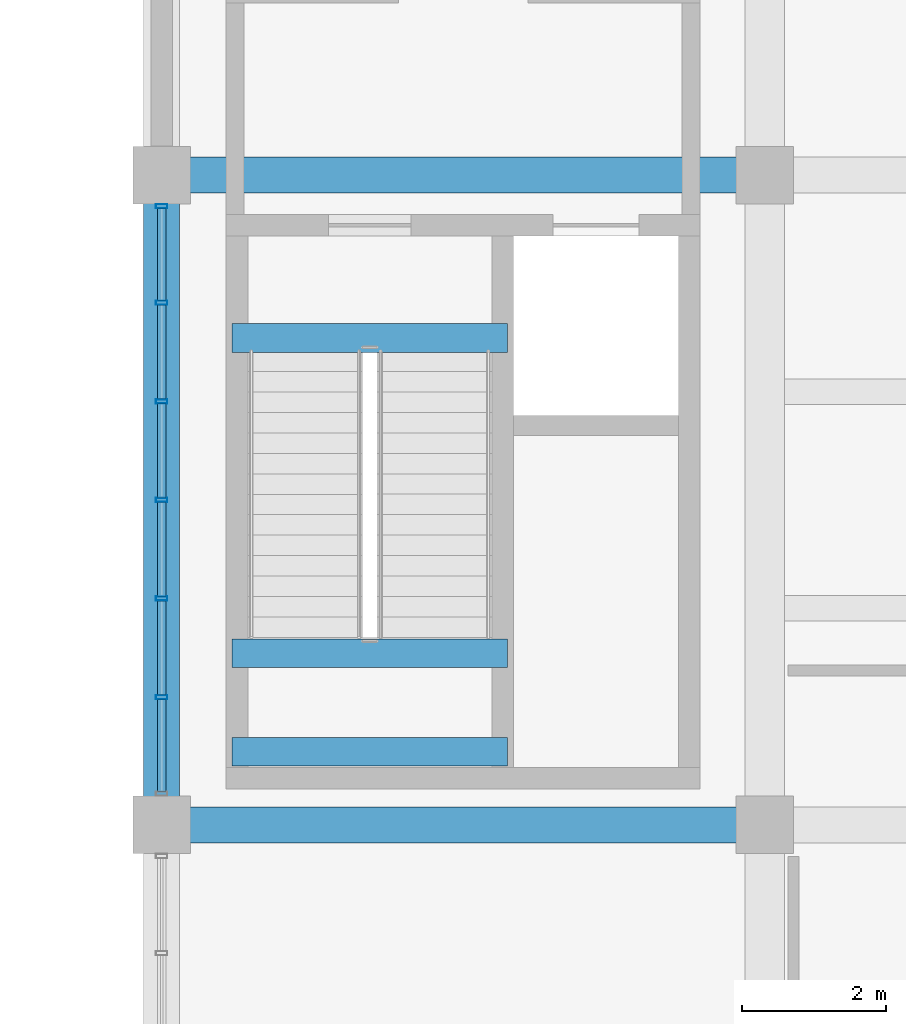
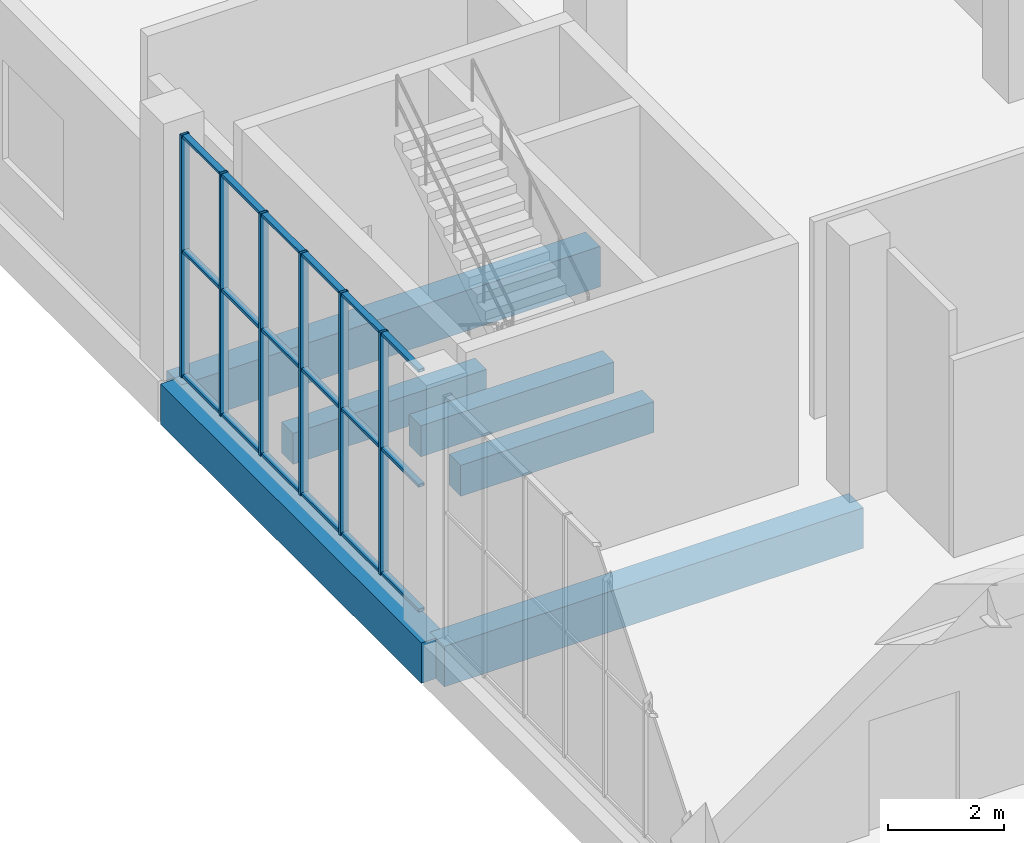
# One storey, part 4 of 91: 24 members, 6 beams, 1 element without a shape of its own.
"""IFC4 building model written with IfcOpenShell, lengths in metres."""

from ifc_helpers import new_model, si_unit, direction, frame, origin, origin_2d, place, context, subcontext, project, spatial, rectangle, hollow_rectangle, extrude, material, material_profile, profile_set, type_object, element, aggregate, save


model = new_model("IFC4")

# Units and contexts
model_context = context("Model", 3, precision=1e-05, world=origin(), true_north=direction((0.0, 1.0)))
body_context = subcontext(model_context, "Body", "Model", "MODEL_VIEW")
ifc_project = project(units=[si_unit("LENGTHUNIT", "METRE"), si_unit("AREAUNIT", "SQUARE_METRE"), si_unit("VOLUMEUNIT", "CUBIC_METRE"), si_unit("PLANEANGLEUNIT", "RADIAN"), si_unit("MASSUNIT", "GRAM", prefix="KILO")], contexts=[model_context])

# Site, building, storey
site_placement = place(None, origin())
site = spatial("IfcSite", under=ifc_project, at=site_placement, CompositionType="ELEMENT")
building_placement = place(site_placement, origin())
building = spatial("IfcBuilding", under=site, at=building_placement, Name="Khurvash Pelagic Aquarium", CompositionType="ELEMENT")
storey_placement = place(building_placement, origin())
storey = spatial("IfcBuildingStorey", under=building, at=storey_placement, Name="L00", CompositionType="ELEMENT", Elevation=0.0)

# Beams
ifc_material_1 = material(Name="Concrete C40/50", Category="concrete")
ifc_material_profile_1 = material_profile(ifc_material_1, rectangle(XDim=0.5, YDim=0.85009765625, at=origin_2d()), Name="RC500X850")
ifc_profile_set_1 = profile_set([ifc_material_profile_1], Name="Concrete C40/50")
beam_type_1 = type_object("IfcBeamType", Name="BM-03", PredefinedType="BEAM", material=ifc_profile_set_1)
for number, where, z_axis, x_axis, name in (
    (1, (25.239990234375, 11.64990234375, -0.7451171875), (1.0, 0.0, 0.0), (0.0, 1.0, 0.0), "L00 Primary Girder BM-03 00011"),
    (2, (25.239990234375, 20.699951171875, -0.7451171875), (1.0, 0.0, 0.0), (0.0, 1.0, 0.0), "L00 Primary Girder BM-03 00021"),
):
    element("IfcBeam", number, at=place(storey_placement, frame(where, z_axis=z_axis, x_axis=x_axis)), inside=storey, type_object=beam_type_1, Name=name, PredefinedType="BEAM", context=body_context, shape_type="SweptSolid", body=[
        extrude(rectangle(XDim=0.5, YDim=0.85009765625, at=origin_2d()), origin(), (0.0, 0.0, 1.0), 8.320068359375),
    ])
ifc_material_2 = material(Name="Concrete C35/45", Category="concrete")
ifc_material_profile_2 = material_profile(ifc_material_2, rectangle(XDim=0.39990234375, YDim=0.64990234375, at=origin_2d()), Name="RC400X650")
ifc_profile_set_2 = profile_set([ifc_material_profile_2], Name="Concrete C35/45")
beam_type_2 = type_object("IfcBeamType", Name="BM-05", PredefinedType="BEAM", material=ifc_profile_set_2)
for number, where, z_axis, x_axis, name in (
    (3, (26.179931640625, 18.429931640625, -0.64501953125), (1.0, 0.0, 0.0), (0.0, 1.0, 0.0), "L00 Stair ST-01 Header Trimmer Beam BM-05"),
    (4, (26.179931640625, 12.669921875, 2.175048828125), (1.0, 0.0, 0.0), (0.0, 1.0, 0.0), "L00 Stair ST-01 Mid-Landing Trimmer Beam BM-05"),
    (5, (26.179931640625, 14.0400390625, 2.175048828125), (1.0, 0.0, 0.0), (0.0, 1.0, 0.0), "L00 Stair ST-01 Mid-Landing Trimmer Beam BM-05"),
):
    element("IfcBeam", number, at=place(storey_placement, frame(where, z_axis=z_axis, x_axis=x_axis)), inside=storey, type_object=beam_type_2, Name=name, PredefinedType="BEAM", context=body_context, shape_type="SweptSolid", body=[
        extrude(rectangle(XDim=0.39990234375, YDim=0.64990234375, at=origin_2d()), origin(), (0.0, 0.0, 1.0), 3.840087890625),
    ])

# Curtain wall, members
ifc_material_3 = material(Name="Anodised aluminium and low-E laminated glass", Category="aluminium")
curtain_wall_type = type_object("IfcCurtainWallType", Name="CW-05", PredefinedType="USERDEFINED", material=ifc_material_3)
curtain_wall_placement = place(storey_placement, origin())
curtain_wall = element("IfcCurtainWall", 6, at=curtain_wall_placement, inside=storey, type_object=curtain_wall_type, Name="L00 Facade Unitised Curtain Wall CW-05 0057", ObjectType="UNITISED CURTAIN WALL", PredefinedType="USERDEFINED")
ifc_material_4 = material(Name="Extruded aluminium AW-6063-T6", Category="aluminium")
ifc_material_profile_3 = material_profile(ifc_material_4, hollow_rectangle(XDim=0.06005859375, YDim=0.159912109375, WallThickness=0.00390625, at=origin_2d()), Name="CWM60X160X4")
ifc_profile_set_3 = profile_set([ifc_material_profile_3], Name="Extruded aluminium AW-6063-T6")
member_type_1 = type_object("IfcMemberType", Name="CM-02", PredefinedType="MULLION", material=ifc_profile_set_3)
member_1_placement = place(storey_placement, frame((25.199951171875, 20.264892578125, 0.0), z_axis=(0.0, 0.0, 1.0), x_axis=(0.0, -1.0, 0.0)))
member_1 = element("IfcMember", 7, at=member_1_placement, type_object=member_type_1, Name="CW-05 mullion 1", PredefinedType="MULLION", context=body_context, shape_type="SweptSolid", body=[
    extrude(hollow_rectangle(XDim=0.06005859375, YDim=0.159912109375, WallThickness=0.00390625, at=origin_2d()), origin(), (0.0, 0.0, 1.0), 5.090087890625),
])
member_2_placement = place(storey_placement, frame((25.199951171875, 18.921630859375, 0.0), z_axis=(0.0, 0.0, 1.0), x_axis=(0.0, -1.0, 0.0)))
member_2 = element("IfcMember", 8, at=member_2_placement, type_object=member_type_1, Name="CW-05 mullion 2", PredefinedType="MULLION", context=body_context, shape_type="SweptSolid", body=[
    extrude(hollow_rectangle(XDim=0.06005859375, YDim=0.159912109375, WallThickness=0.00390625, at=origin_2d()), origin(), (0.0, 0.0, 1.0), 5.090087890625),
])
member_3_placement = place(storey_placement, frame((25.199951171875, 17.54833984375, 0.0), z_axis=(0.0, 0.0, 1.0), x_axis=(0.0, -1.0, 0.0)))
member_3 = element("IfcMember", 9, at=member_3_placement, type_object=member_type_1, Name="CW-05 mullion 3", PredefinedType="MULLION", context=body_context, shape_type="SweptSolid", body=[
    extrude(hollow_rectangle(XDim=0.06005859375, YDim=0.159912109375, WallThickness=0.00390625, at=origin_2d()), origin(), (0.0, 0.0, 1.0), 5.090087890625),
])
member_4_placement = place(storey_placement, frame((25.199951171875, 16.175048828125, 0.0), z_axis=(0.0, 0.0, 1.0), x_axis=(0.0, -1.0, 0.0)))
member_4 = element("IfcMember", 10, at=member_4_placement, type_object=member_type_1, Name="CW-05 mullion 4", PredefinedType="MULLION", context=body_context, shape_type="SweptSolid", body=[
    extrude(hollow_rectangle(XDim=0.06005859375, YDim=0.159912109375, WallThickness=0.00390625, at=origin_2d()), origin(), (0.0, 0.0, 1.0), 5.090087890625),
])
member_5_placement = place(storey_placement, frame((25.199951171875, 14.8017578125, 0.0), z_axis=(0.0, 0.0, 1.0), x_axis=(0.0, -1.0, 0.0)))
member_5 = element("IfcMember", 11, at=member_5_placement, type_object=member_type_1, Name="CW-05 mullion 5", PredefinedType="MULLION", context=body_context, shape_type="SweptSolid", body=[
    extrude(hollow_rectangle(XDim=0.06005859375, YDim=0.159912109375, WallThickness=0.00390625, at=origin_2d()), origin(), (0.0, 0.0, 1.0), 5.090087890625),
])
member_6_placement = place(storey_placement, frame((25.199951171875, 13.42822265625, 0.0), z_axis=(0.0, 0.0, 1.0), x_axis=(0.0, -1.0, 0.0)))
member_6 = element("IfcMember", 12, at=member_6_placement, type_object=member_type_1, Name="CW-05 mullion 6", PredefinedType="MULLION", context=body_context, shape_type="SweptSolid", body=[
    extrude(hollow_rectangle(XDim=0.06005859375, YDim=0.159912109375, WallThickness=0.00390625, at=origin_2d()), origin(), (0.0, 0.0, 1.0), 5.090087890625),
])
ifc_material_profile_4 = material_profile(ifc_material_4, hollow_rectangle(XDim=0.1201171875, YDim=0.06005859375, WallThickness=0.00390625, at=origin_2d()), Name="CWT120X60X4")
ifc_profile_set_4 = profile_set([ifc_material_profile_4], Name="Extruded aluminium AW-6063-T6")
member_type_2 = type_object("IfcMemberType", Name="CT-02", PredefinedType="USERDEFINED", material=ifc_profile_set_4)
member_7_placement = place(storey_placement, frame((25.199951171875, 20.235107421875, 0.030029296875), z_axis=(0.0, -1.0, 0.0), x_axis=(1.0, 0.0, 0.0)))
member_7 = element("IfcMember", 13, at=member_7_placement, type_object=member_type_2, Name="CW-05 transom 1.1", ObjectType="TRANSOM", PredefinedType="USERDEFINED", context=body_context, shape_type="SweptSolid", body=[
    extrude(hollow_rectangle(XDim=0.1201171875, YDim=0.06005859375, WallThickness=0.00390625, at=origin_2d()), origin(), (0.0, 0.0, 1.0), 1.283447265625),
])
member_8_placement = place(storey_placement, frame((25.199951171875, 20.235107421875, 2.64697265625), z_axis=(0.0, -1.0, 0.0), x_axis=(1.0, 0.0, 0.0)))
member_8 = element("IfcMember", 14, at=member_8_placement, type_object=member_type_2, Name="CW-05 transom 1.2", ObjectType="TRANSOM", PredefinedType="USERDEFINED", context=body_context, shape_type="SweptSolid", body=[
    extrude(hollow_rectangle(XDim=0.1201171875, YDim=0.06005859375, WallThickness=0.00390625, at=origin_2d()), origin(), (0.0, 0.0, 1.0), 1.283447265625),
])
member_9_placement = place(storey_placement, frame((25.199951171875, 20.235107421875, 5.06005859375), z_axis=(0.0, -1.0, 0.0), x_axis=(1.0, 0.0, 0.0)))
member_9 = element("IfcMember", 15, at=member_9_placement, type_object=member_type_2, Name="CW-05 transom 1.3", ObjectType="TRANSOM", PredefinedType="USERDEFINED", context=body_context, shape_type="SweptSolid", body=[
    extrude(hollow_rectangle(XDim=0.1201171875, YDim=0.06005859375, WallThickness=0.00390625, at=origin_2d()), origin(), (0.0, 0.0, 1.0), 1.283447265625),
])
member_10_placement = place(storey_placement, frame((25.199951171875, 18.8916015625, 0.030029296875), z_axis=(0.0, -1.0, 0.0), x_axis=(1.0, 0.0, 0.0)))
member_10 = element("IfcMember", 16, at=member_10_placement, type_object=member_type_2, Name="CW-05 transom 2.1", ObjectType="TRANSOM", PredefinedType="USERDEFINED", context=body_context, shape_type="SweptSolid", body=[
    extrude(hollow_rectangle(XDim=0.1201171875, YDim=0.06005859375, WallThickness=0.00390625, at=origin_2d()), origin(), (0.0, 0.0, 1.0), 1.313232421875),
])
member_11_placement = place(storey_placement, frame((25.199951171875, 18.8916015625, 2.64697265625), z_axis=(0.0, -1.0, 0.0), x_axis=(1.0, 0.0, 0.0)))
member_11 = element("IfcMember", 17, at=member_11_placement, type_object=member_type_2, Name="CW-05 transom 2.2", ObjectType="TRANSOM", PredefinedType="USERDEFINED", context=body_context, shape_type="SweptSolid", body=[
    extrude(hollow_rectangle(XDim=0.1201171875, YDim=0.06005859375, WallThickness=0.00390625, at=origin_2d()), origin(), (0.0, 0.0, 1.0), 1.313232421875),
])
member_12_placement = place(storey_placement, frame((25.199951171875, 18.8916015625, 5.06005859375), z_axis=(0.0, -1.0, 0.0), x_axis=(1.0, 0.0, 0.0)))
member_12 = element("IfcMember", 18, at=member_12_placement, type_object=member_type_2, Name="CW-05 transom 2.3", ObjectType="TRANSOM", PredefinedType="USERDEFINED", context=body_context, shape_type="SweptSolid", body=[
    extrude(hollow_rectangle(XDim=0.1201171875, YDim=0.06005859375, WallThickness=0.00390625, at=origin_2d()), origin(), (0.0, 0.0, 1.0), 1.313232421875),
])
member_13_placement = place(storey_placement, frame((25.199951171875, 17.518310546875, 0.030029296875), z_axis=(0.0, -1.0, 0.0), x_axis=(1.0, 0.0, 0.0)))
member_13 = element("IfcMember", 19, at=member_13_placement, type_object=member_type_2, Name="CW-05 transom 3.1", ObjectType="TRANSOM", PredefinedType="USERDEFINED", context=body_context, shape_type="SweptSolid", body=[
    extrude(hollow_rectangle(XDim=0.1201171875, YDim=0.06005859375, WallThickness=0.00390625, at=origin_2d()), origin(), (0.0, 0.0, 1.0), 1.313232421875),
])
member_14_placement = place(storey_placement, frame((25.199951171875, 17.518310546875, 2.64697265625), z_axis=(0.0, -1.0, 0.0), x_axis=(1.0, 0.0, 0.0)))
member_14 = element("IfcMember", 20, at=member_14_placement, type_object=member_type_2, Name="CW-05 transom 3.2", ObjectType="TRANSOM", PredefinedType="USERDEFINED", context=body_context, shape_type="SweptSolid", body=[
    extrude(hollow_rectangle(XDim=0.1201171875, YDim=0.06005859375, WallThickness=0.00390625, at=origin_2d()), origin(), (0.0, 0.0, 1.0), 1.313232421875),
])
member_15_placement = place(storey_placement, frame((25.199951171875, 17.518310546875, 5.06005859375), z_axis=(0.0, -1.0, 0.0), x_axis=(1.0, 0.0, 0.0)))
member_15 = element("IfcMember", 21, at=member_15_placement, type_object=member_type_2, Name="CW-05 transom 3.3", ObjectType="TRANSOM", PredefinedType="USERDEFINED", context=body_context, shape_type="SweptSolid", body=[
    extrude(hollow_rectangle(XDim=0.1201171875, YDim=0.06005859375, WallThickness=0.00390625, at=origin_2d()), origin(), (0.0, 0.0, 1.0), 1.313232421875),
])
member_16_placement = place(storey_placement, frame((25.199951171875, 16.14501953125, 0.030029296875), z_axis=(0.0, -1.0, 0.0), x_axis=(1.0, 0.0, 0.0)))
member_16 = element("IfcMember", 22, at=member_16_placement, type_object=member_type_2, Name="CW-05 transom 4.1", ObjectType="TRANSOM", PredefinedType="USERDEFINED", context=body_context, shape_type="SweptSolid", body=[
    extrude(hollow_rectangle(XDim=0.1201171875, YDim=0.06005859375, WallThickness=0.00390625, at=origin_2d()), origin(), (0.0, 0.0, 1.0), 1.313232421875),
])
member_17_placement = place(storey_placement, frame((25.199951171875, 16.14501953125, 2.64697265625), z_axis=(0.0, -1.0, 0.0), x_axis=(1.0, 0.0, 0.0)))
member_17 = element("IfcMember", 23, at=member_17_placement, type_object=member_type_2, Name="CW-05 transom 4.2", ObjectType="TRANSOM", PredefinedType="USERDEFINED", context=body_context, shape_type="SweptSolid", body=[
    extrude(hollow_rectangle(XDim=0.1201171875, YDim=0.06005859375, WallThickness=0.00390625, at=origin_2d()), origin(), (0.0, 0.0, 1.0), 1.313232421875),
])
member_18_placement = place(storey_placement, frame((25.199951171875, 16.14501953125, 5.06005859375), z_axis=(0.0, -1.0, 0.0), x_axis=(1.0, 0.0, 0.0)))
member_18 = element("IfcMember", 24, at=member_18_placement, type_object=member_type_2, Name="CW-05 transom 4.3", ObjectType="TRANSOM", PredefinedType="USERDEFINED", context=body_context, shape_type="SweptSolid", body=[
    extrude(hollow_rectangle(XDim=0.1201171875, YDim=0.06005859375, WallThickness=0.00390625, at=origin_2d()), origin(), (0.0, 0.0, 1.0), 1.313232421875),
])
member_19_placement = place(storey_placement, frame((25.199951171875, 14.771728515625, 0.030029296875), z_axis=(0.0, -1.0, 0.0), x_axis=(1.0, 0.0, 0.0)))
member_19 = element("IfcMember", 25, at=member_19_placement, type_object=member_type_2, Name="CW-05 transom 5.1", ObjectType="TRANSOM", PredefinedType="USERDEFINED", context=body_context, shape_type="SweptSolid", body=[
    extrude(hollow_rectangle(XDim=0.1201171875, YDim=0.06005859375, WallThickness=0.00390625, at=origin_2d()), origin(), (0.0, 0.0, 1.0), 1.3134765625),
])
member_20_placement = place(storey_placement, frame((25.199951171875, 14.771728515625, 2.64697265625), z_axis=(0.0, -1.0, 0.0), x_axis=(1.0, 0.0, 0.0)))
member_20 = element("IfcMember", 26, at=member_20_placement, type_object=member_type_2, Name="CW-05 transom 5.2", ObjectType="TRANSOM", PredefinedType="USERDEFINED", context=body_context, shape_type="SweptSolid", body=[
    extrude(hollow_rectangle(XDim=0.1201171875, YDim=0.06005859375, WallThickness=0.00390625, at=origin_2d()), origin(), (0.0, 0.0, 1.0), 1.3134765625),
])
member_21_placement = place(storey_placement, frame((25.199951171875, 14.771728515625, 5.06005859375), z_axis=(0.0, -1.0, 0.0), x_axis=(1.0, 0.0, 0.0)))
member_21 = element("IfcMember", 27, at=member_21_placement, type_object=member_type_2, Name="CW-05 transom 5.3", ObjectType="TRANSOM", PredefinedType="USERDEFINED", context=body_context, shape_type="SweptSolid", body=[
    extrude(hollow_rectangle(XDim=0.1201171875, YDim=0.06005859375, WallThickness=0.00390625, at=origin_2d()), origin(), (0.0, 0.0, 1.0), 1.3134765625),
])
member_22_placement = place(storey_placement, frame((25.199951171875, 13.3984375, 0.030029296875), z_axis=(0.0, -1.0, 0.0), x_axis=(1.0, 0.0, 0.0)))
member_22 = element("IfcMember", 28, at=member_22_placement, type_object=member_type_2, Name="CW-05 transom 6.1", ObjectType="TRANSOM", PredefinedType="USERDEFINED", context=body_context, shape_type="SweptSolid", body=[
    extrude(hollow_rectangle(XDim=0.1201171875, YDim=0.06005859375, WallThickness=0.00390625, at=origin_2d()), origin(), (0.0, 0.0, 1.0), 1.283447265625),
])
member_23_placement = place(storey_placement, frame((25.199951171875, 13.3984375, 2.64697265625), z_axis=(0.0, -1.0, 0.0), x_axis=(1.0, 0.0, 0.0)))
member_23 = element("IfcMember", 29, at=member_23_placement, type_object=member_type_2, Name="CW-05 transom 6.2", ObjectType="TRANSOM", PredefinedType="USERDEFINED", context=body_context, shape_type="SweptSolid", body=[
    extrude(hollow_rectangle(XDim=0.1201171875, YDim=0.06005859375, WallThickness=0.00390625, at=origin_2d()), origin(), (0.0, 0.0, 1.0), 1.283447265625),
])
member_24_placement = place(storey_placement, frame((25.199951171875, 13.3984375, 5.06005859375), z_axis=(0.0, -1.0, 0.0), x_axis=(1.0, 0.0, 0.0)))
member_24 = element("IfcMember", 30, at=member_24_placement, type_object=member_type_2, Name="CW-05 transom 6.3", ObjectType="TRANSOM", PredefinedType="USERDEFINED", context=body_context, shape_type="SweptSolid", body=[
    extrude(hollow_rectangle(XDim=0.1201171875, YDim=0.06005859375, WallThickness=0.00390625, at=origin_2d()), origin(), (0.0, 0.0, 1.0), 1.283447265625),
])
aggregate(curtain_wall, [member_1, member_2, member_3, member_4, member_5, member_6, member_7, member_8, member_9, member_10, member_11, member_12, member_13, member_14, member_15, member_16, member_17, member_18, member_19, member_20, member_21, member_22, member_23, member_24])

# Beam
ifc_material_profile_5 = material_profile(ifc_material_1, rectangle(XDim=0.5, YDim=0.85009765625, at=origin_2d()), Name="RC500X850")
ifc_profile_set_5 = profile_set([ifc_material_profile_5], Name="Concrete C40/50")
beam_type_3 = type_object("IfcBeamType", Name="SEB-03", PredefinedType="SPANDREL", material=ifc_profile_set_5)
beam_placement = place(storey_placement, frame((25.199951171875, 11.68994140625, -0.7451171875), z_axis=(0.0, 1.0, 0.0), x_axis=(-1.0, 0.0, 0.0)))
element("IfcBeam", 31, at=beam_placement, inside=storey, type_object=beam_type_3, Name="L00 Primary Girder SEB-03 00080", PredefinedType="SPANDREL", context=body_context, shape_type="SweptSolid", body=[
    extrude(rectangle(XDim=0.5, YDim=0.85009765625, at=origin_2d()), origin(), (0.0, 0.0, 1.0), 8.969970703125),
])

save(model, "model.ifc")
